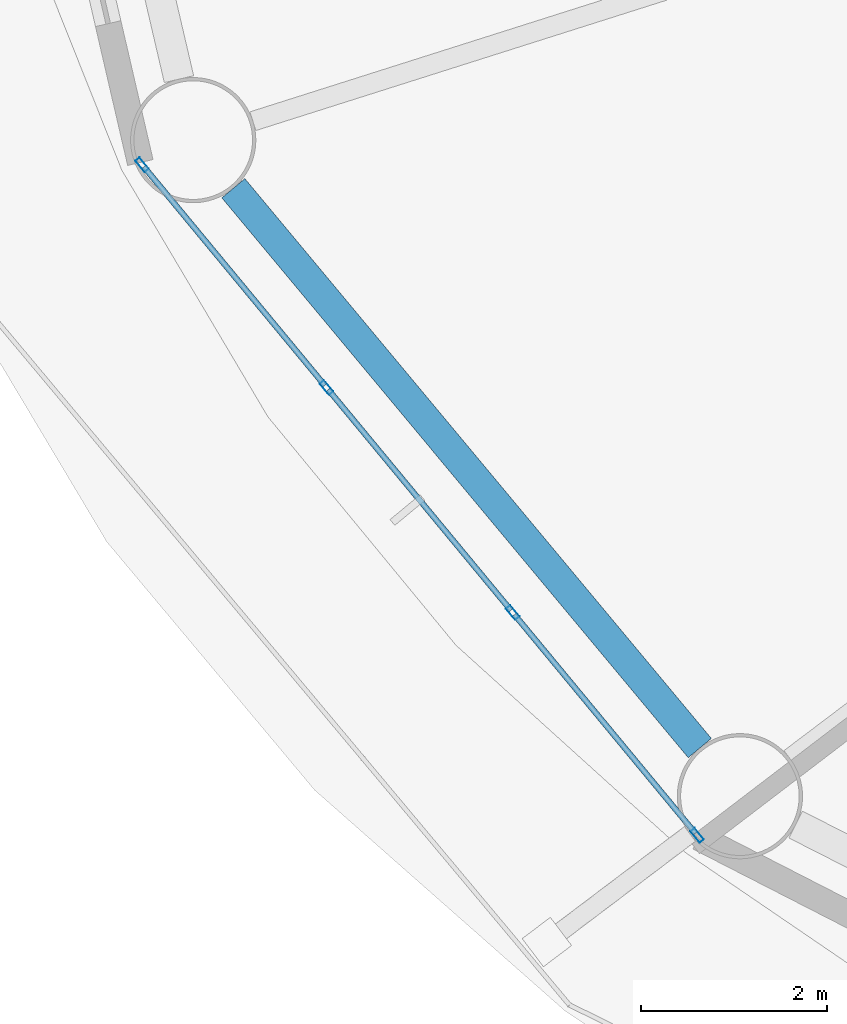
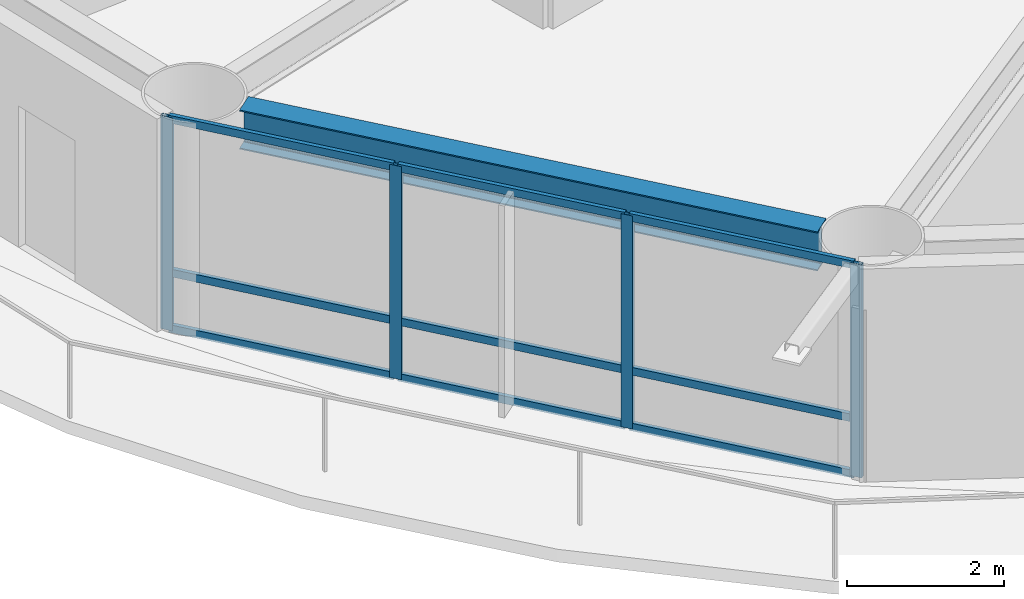
# One storey, part 2 of 24: 13 members, 1 beam, 1 element without a shape of its own.
"""IFC4 building model written with IfcOpenShell, lengths in metres."""

from ifc_helpers import new_model, si_unit, direction, frame, origin, origin_2d, place, context, subcontext, project, spatial, hollow_rectangle, i_section, extrude, material, layer, layer_set, material_profile, profile_set, type_object, element, aggregate, save


model = new_model("IFC4")

# Units and contexts
model_context = context("Model", 3, precision=1e-05, world=origin(), true_north=direction((0.0, 1.0)))
body_context = subcontext(model_context, "Body", "Model", "MODEL_VIEW")
ifc_project = project(units=[si_unit("LENGTHUNIT", "METRE"), si_unit("AREAUNIT", "SQUARE_METRE"), si_unit("VOLUMEUNIT", "CUBIC_METRE"), si_unit("PLANEANGLEUNIT", "RADIAN"), si_unit("MASSUNIT", "GRAM", prefix="KILO")], contexts=[model_context])

# Site, building, storey
site_placement = place(None, origin())
site = spatial("IfcSite", under=ifc_project, at=site_placement, CompositionType="ELEMENT")
building_placement = place(site_placement, origin())
building = spatial("IfcBuilding", under=site, at=building_placement, Name="Sarneth Arch Tower", CompositionType="ELEMENT")
storey_placement = place(building_placement, frame((0.0, 0.0, 130.800048828125)))
storey = spatial("IfcBuildingStorey", under=building, at=storey_placement, Name="L33", CompositionType="ELEMENT", Elevation=130.800048828125)

# Beam
ifc_material_1 = material(Name="Steel S355", Category="steel")
ifc_material_profile_1 = material_profile(ifc_material_1, i_section(OverallWidth=0.323974609375, OverallDepth=0.611083984375, WebThickness=0.0126953125, FlangeThickness=0.01904296875, FilletRadius=0.01904296875, at=origin_2d()), Name="W610x155")
ifc_profile_set_1 = profile_set([ifc_material_profile_1], Name="Steel S355")
beam_type = type_object("IfcBeamType", Name="BM-SPAN-610B", PredefinedType="SPANDREL", material=ifc_profile_set_1)
beam_placement = place(storey_placement, frame((22.140869140625, 33.138916015625, 3.014404296875), z_axis=(0.640169116175, -0.768234015581, 0.0), x_axis=(0.768234015581, 0.640169116175, 0.0)))
element("IfcBeam", 1, at=beam_placement, inside=storey, type_object=beam_type, Name="L33 Perimeter spandrel beam 10", PredefinedType="SPANDREL", context=body_context, shape_type="SweptSolid", body=[
    extrude(i_section(OverallWidth=0.323974609375, OverallDepth=0.611083984375, WebThickness=0.0126953125, FlangeThickness=0.01904296875, FilletRadius=0.01904296875, at=origin_2d()), origin(), (0.0, 0.0, 1.0), 7.856201171875),
])

# Curtain wall, members
ifc_material_2 = material(Name="Anodised aluminium Type AA25 and solar-control low-e laminated IGU", Category="aluminium")
ifc_layer = layer(ifc_material_2, 0.159912109375)
ifc_layer_set = layer_set([ifc_layer], Name="Anodised aluminium Type AA25 and solar-control low-e laminated IGU")
curtain_wall_type = type_object("IfcCurtainWallType", Name="CW-HOTEL-MID", PredefinedType="NOTDEFINED", material=ifc_layer_set)
curtain_wall_placement = place(storey_placement, origin())
curtain_wall = element("IfcCurtainWall", 2, at=curtain_wall_placement, inside=storey, type_object=curtain_wall_type, Name="L33 Unitised curtain wall facet 10", PredefinedType="NOTDEFINED")
ifc_material_3 = material(Name="Anodised Aluminium 6063-T6", Category="aluminium")
ifc_material_profile_2 = material_profile(ifc_material_3, hollow_rectangle(XDim=0.06005859375, YDim=0.159912109375, WallThickness=0.00390625, at=origin_2d()), Name="AL-MULL-160x60x4")
ifc_profile_set_2 = profile_set([ifc_material_profile_2], Name="Anodised Aluminium 6063-T6")
member_type_1 = type_object("IfcMemberType", Name="CW-MULLION", PredefinedType="MULLION", material=ifc_profile_set_2)
member_1_placement = place(storey_placement, frame((21.15771484375, 33.393310546875, 0.0), z_axis=(0.0, 0.0, 1.0), x_axis=(0.770437787363, 0.637515188684, 0.0)))
member_1 = element("IfcMember", 3, at=member_1_placement, type_object=member_type_1, Name="CW-SYS-4 mullion 1", PredefinedType="MULLION", context=body_context, shape_type="SweptSolid", body=[
    extrude(hollow_rectangle(XDim=0.06005859375, YDim=0.159912109375, WallThickness=0.00390625, at=origin_2d()), origin(), (0.0, 0.0, 1.0), 3.320068359375),
])
member_2_placement = place(storey_placement, frame((23.145751953125, 30.99072265625, 0.0), z_axis=(0.0, 0.0, 1.0), x_axis=(0.770437787363, 0.637515188684, 0.0)))
member_2 = element("IfcMember", 4, at=member_2_placement, type_object=member_type_1, Name="CW-SYS-4 mullion 2", PredefinedType="MULLION", context=body_context, shape_type="SweptSolid", body=[
    extrude(hollow_rectangle(XDim=0.06005859375, YDim=0.159912109375, WallThickness=0.00390625, at=origin_2d()), origin(), (0.0, 0.0, 1.0), 3.320068359375),
])
member_3_placement = place(storey_placement, frame((25.15283203125, 28.565185546875, 0.0), z_axis=(0.0, 0.0, 1.0), x_axis=(0.770437787363, 0.637515188684, 0.0)))
member_3 = element("IfcMember", 5, at=member_3_placement, type_object=member_type_1, Name="CW-SYS-4 mullion 3", PredefinedType="MULLION", context=body_context, shape_type="SweptSolid", body=[
    extrude(hollow_rectangle(XDim=0.06005859375, YDim=0.159912109375, WallThickness=0.00390625, at=origin_2d()), origin(), (0.0, 0.0, 1.0), 3.320068359375),
])
member_4_placement = place(storey_placement, frame((27.140869140625, 26.16259765625, 0.0), z_axis=(0.0, 0.0, 1.0), x_axis=(0.770437787363, 0.637515188684, 0.0)))
member_4 = element("IfcMember", 6, at=member_4_placement, type_object=member_type_1, Name="CW-SYS-4 mullion 4", PredefinedType="MULLION", context=body_context, shape_type="SweptSolid", body=[
    extrude(hollow_rectangle(XDim=0.06005859375, YDim=0.159912109375, WallThickness=0.00390625, at=origin_2d()), origin(), (0.0, 0.0, 1.0), 3.320068359375),
])
ifc_material_4 = material(Name="Anodised Aluminium 6063-T6", Category="aluminium")
ifc_material_profile_3 = material_profile(ifc_material_4, hollow_rectangle(XDim=0.06005859375, YDim=0.1201171875, WallThickness=0.00390625, at=origin_2d()), Name="AL-TRAN-120x60x4")
ifc_profile_set_3 = profile_set([ifc_material_profile_3], Name="Anodised Aluminium 6063-T6")
member_type_2 = type_object("IfcMemberType", Name="CW-TRANSOM", PredefinedType="USERDEFINED", material=ifc_profile_set_3)
member_5_placement = place(storey_placement, frame((21.1767578125, 33.3701171875, 0.030029296875), z_axis=(0.637566080343, -0.770395673142, 0.0), x_axis=(0.770395673142, 0.637566080343, 0.0)))
member_5 = element("IfcMember", 7, at=member_5_placement, type_object=member_type_2, Name="CW-SYS-4 transom 1.1", ObjectType="TRANSOM", PredefinedType="USERDEFINED", context=body_context, shape_type="SweptSolid", body=[
    extrude(hollow_rectangle(XDim=0.06005859375, YDim=0.1201171875, WallThickness=0.00390625, at=origin_2d()), origin(), (0.0, 0.0, 1.0), 3.058349609375),
])
member_6_placement = place(storey_placement, frame((21.1767578125, 33.3701171875, 0.89990234375), z_axis=(0.637566080343, -0.770395673142, 0.0), x_axis=(0.770395673142, 0.637566080343, 0.0)))
member_6 = element("IfcMember", 8, at=member_6_placement, type_object=member_type_2, Name="CW-SYS-4 transom 1.2", ObjectType="TRANSOM", PredefinedType="USERDEFINED", context=body_context, shape_type="SweptSolid", body=[
    extrude(hollow_rectangle(XDim=0.06005859375, YDim=0.1201171875, WallThickness=0.00390625, at=origin_2d()), origin(), (0.0, 0.0, 1.0), 3.058349609375),
])
member_7_placement = place(storey_placement, frame((21.1767578125, 33.3701171875, 3.2900390625), z_axis=(0.637566080343, -0.770395673142, 0.0), x_axis=(0.770395673142, 0.637566080343, 0.0)))
member_7 = element("IfcMember", 9, at=member_7_placement, type_object=member_type_2, Name="CW-SYS-4 transom 1.3", ObjectType="TRANSOM", PredefinedType="USERDEFINED", context=body_context, shape_type="SweptSolid", body=[
    extrude(hollow_rectangle(XDim=0.06005859375, YDim=0.1201171875, WallThickness=0.00390625, at=origin_2d()), origin(), (0.0, 0.0, 1.0), 3.058349609375),
])
member_8_placement = place(storey_placement, frame((23.164794921875, 30.9677734375, 0.030029296875), z_axis=(0.637536975021, -0.770419759275, 0.0), x_axis=(0.770419759275, 0.637536975021, 0.0)))
member_8 = element("IfcMember", 10, at=member_8_placement, type_object=member_type_2, Name="CW-SYS-4 transom 2.1", ObjectType="TRANSOM", PredefinedType="USERDEFINED", context=body_context, shape_type="SweptSolid", body=[
    extrude(hollow_rectangle(XDim=0.06005859375, YDim=0.1201171875, WallThickness=0.00390625, at=origin_2d()), origin(), (0.0, 0.0, 1.0), 3.08837890625),
])
member_9_placement = place(storey_placement, frame((23.164794921875, 30.9677734375, 0.89990234375), z_axis=(0.637536975021, -0.770419759275, 0.0), x_axis=(0.770419759275, 0.637536975021, 0.0)))
member_9 = element("IfcMember", 11, at=member_9_placement, type_object=member_type_2, Name="CW-SYS-4 transom 2.2", ObjectType="TRANSOM", PredefinedType="USERDEFINED", context=body_context, shape_type="SweptSolid", body=[
    extrude(hollow_rectangle(XDim=0.06005859375, YDim=0.1201171875, WallThickness=0.00390625, at=origin_2d()), origin(), (0.0, 0.0, 1.0), 3.08837890625),
])
member_10_placement = place(storey_placement, frame((23.164794921875, 30.9677734375, 3.2900390625), z_axis=(0.637536975021, -0.770419759275, 0.0), x_axis=(0.770419759275, 0.637536975021, 0.0)))
member_10 = element("IfcMember", 12, at=member_10_placement, type_object=member_type_2, Name="CW-SYS-4 transom 2.3", ObjectType="TRANSOM", PredefinedType="USERDEFINED", context=body_context, shape_type="SweptSolid", body=[
    extrude(hollow_rectangle(XDim=0.06005859375, YDim=0.1201171875, WallThickness=0.00390625, at=origin_2d()), origin(), (0.0, 0.0, 1.0), 3.08837890625),
])
member_11_placement = place(storey_placement, frame((25.171875, 28.5419921875, 0.030029296875), z_axis=(0.637566080343, -0.770395673142, 0.0), x_axis=(0.770395673142, 0.637566080343, 0.0)))
member_11 = element("IfcMember", 13, at=member_11_placement, type_object=member_type_2, Name="CW-SYS-4 transom 3.1", ObjectType="TRANSOM", PredefinedType="USERDEFINED", context=body_context, shape_type="SweptSolid", body=[
    extrude(hollow_rectangle(XDim=0.06005859375, YDim=0.1201171875, WallThickness=0.00390625, at=origin_2d()), origin(), (0.0, 0.0, 1.0), 3.058349609375),
])
member_12_placement = place(storey_placement, frame((25.171875, 28.5419921875, 0.89990234375), z_axis=(0.637566080343, -0.770395673142, 0.0), x_axis=(0.770395673142, 0.637566080343, 0.0)))
member_12 = element("IfcMember", 14, at=member_12_placement, type_object=member_type_2, Name="CW-SYS-4 transom 3.2", ObjectType="TRANSOM", PredefinedType="USERDEFINED", context=body_context, shape_type="SweptSolid", body=[
    extrude(hollow_rectangle(XDim=0.06005859375, YDim=0.1201171875, WallThickness=0.00390625, at=origin_2d()), origin(), (0.0, 0.0, 1.0), 3.058349609375),
])
member_13_placement = place(storey_placement, frame((25.171875, 28.5419921875, 3.2900390625), z_axis=(0.637566080343, -0.770395673142, 0.0), x_axis=(0.770395673142, 0.637566080343, 0.0)))
member_13 = element("IfcMember", 15, at=member_13_placement, type_object=member_type_2, Name="CW-SYS-4 transom 3.3", ObjectType="TRANSOM", PredefinedType="USERDEFINED", context=body_context, shape_type="SweptSolid", body=[
    extrude(hollow_rectangle(XDim=0.06005859375, YDim=0.1201171875, WallThickness=0.00390625, at=origin_2d()), origin(), (0.0, 0.0, 1.0), 3.058349609375),
])
aggregate(curtain_wall, [member_1, member_2, member_3, member_4, member_5, member_6, member_7, member_8, member_9, member_10, member_11, member_12, member_13])

save(model, "model.ifc")
